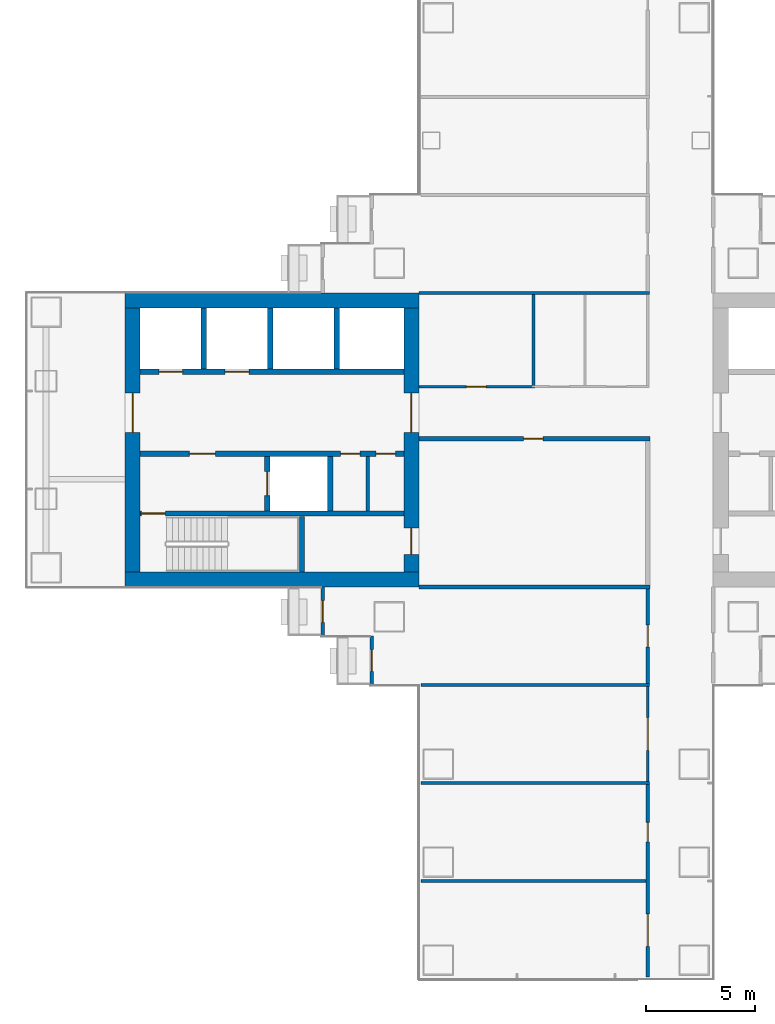
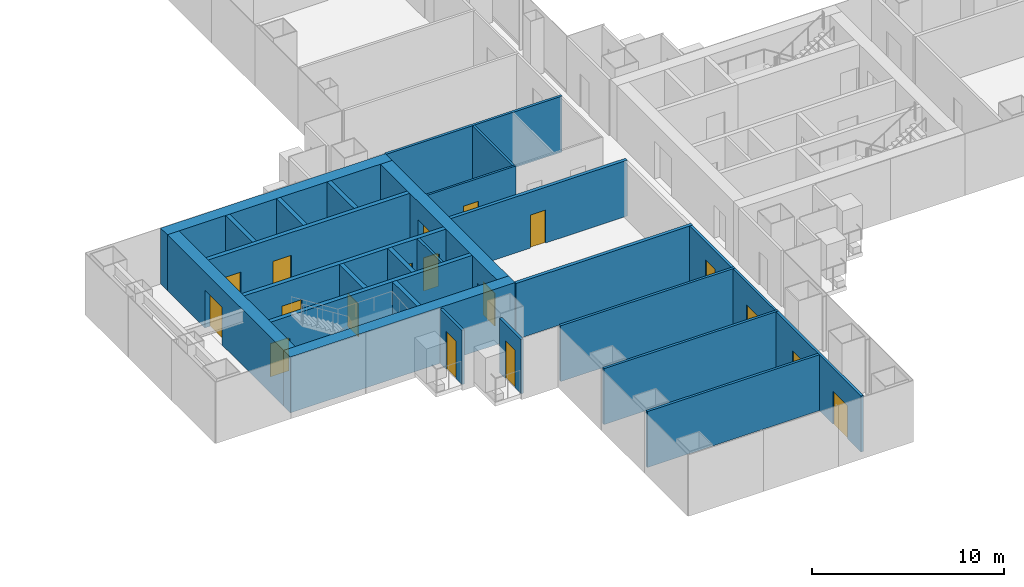
# One storey, part 15 of 21: 27 walls, 18 doors, 18 openings.
"""IFC4 building model written with IfcOpenShell, lengths in metres."""

from ifc_helpers import new_model, si_unit, direction, frame, frame_2d, origin, place, context, subcontext, project, spatial, rectangle, extrude, material, layer, layer_set, type_object, element, fill, save


model = new_model("IFC4")

# Units and contexts
model_context = context("Model", 3, precision=1e-05, world=origin(), true_north=direction((0.0, 1.0)))
body_context = subcontext(model_context, "Body", "Model", "MODEL_VIEW")
ifc_project = project(units=[si_unit("LENGTHUNIT", "METRE"), si_unit("AREAUNIT", "SQUARE_METRE"), si_unit("VOLUMEUNIT", "CUBIC_METRE"), si_unit("PLANEANGLEUNIT", "RADIAN"), si_unit("MASSUNIT", "GRAM", prefix="KILO")], contexts=[model_context])

# Site, building, storey
site_placement = place(None, origin())
site = spatial("IfcSite", under=ifc_project, at=site_placement, CompositionType="ELEMENT")
building_placement = place(site_placement, origin())
building = spatial("IfcBuilding", under=site, at=building_placement, Name="Shamsa Quay Exchange Towers", CompositionType="ELEMENT")
storey_placement = place(building_placement, frame((0.0, 0.0, 49.800048828125)))
storey = spatial("IfcBuildingStorey", under=building, at=storey_placement, Name="L10", CompositionType="ELEMENT", Elevation=49.800048828125)

# Wall, opening, door
ifc_material_1 = material(Name="Aluminium EN AW-6063 T6, black anodised, with black enamelled glass infill", Category="aluminium")
ifc_layer_1 = layer(ifc_material_1, 0.14990234375)
ifc_layer_set_1 = layer_set([ifc_layer_1], Name="BALCONY DOOR BAY WALL 150")
wall_type_1 = type_object("IfcWallType", Name="BALCONY DOOR BAY WALL 150", PredefinedType="SOLIDWALL", material=ifc_layer_set_1)
wall_1_placement = place(storey_placement, frame((22.574951171875, -9.0, 0.0), z_axis=(0.0, 0.0, 1.0), x_axis=(0.0, 1.0, 0.0)))
wall_1 = element("IfcWall", 1, at=wall_1_placement, inside=storey, type_object=wall_type_1, Name="Door bay T2-PKWN L10", PredefinedType="SOLIDWALL", context=body_context, shape_type="SweptSolid", body=[
    extrude(rectangle(XDim=2.257080078125, YDim=0.14990234375, at=frame_2d((1.12841796875, 0.0))), origin(), (0.0, 0.0, 1.0), 3.449951171875),
])
opening_1_placement = place(wall_1_placement, frame((0.625, 0.0, 0.0)))
opening_1 = element("IfcOpeningElement", 2, at=opening_1_placement, cuts=wall_1, Name="Opening XD061", PredefinedType="OPENING", context=body_context, shape_type="SweptSolid", body=[
    extrude(rectangle(XDim=1.0, YDim=2.39990234375, at=frame_2d((0.5, 1.199951171875))), frame((0.0, 0.0849609375, 0.0), z_axis=(0.0, -1.0, 0.0), x_axis=(1.0, 0.0, 0.0)), (0.0, 0.0, 1.0), 0.169921875),
])
ifc_material_2 = material(Name="Aluminium EN AW-6063 T6, black anodised, with laminated glass leaf", Category="aluminium")
door_type_1 = type_object("IfcDoorType", Name="BALCONY DOOR 1000x2400", OperationType="SINGLE_SWING_LEFT", PredefinedType="DOOR", material=ifc_material_2)
door_1_placement = place(opening_1_placement, origin())
door_1 = element("IfcDoor", 3, at=door_1_placement, inside=storey, type_object=door_type_1, Name="Balcony door T2-PKWN L10", OperationType="SINGLE_SWING_LEFT", OverallHeight=2.39990234375, OverallWidth=1.0, PredefinedType="DOOR", context=body_context, shape_type="SweptSolid", body=[
    extrude(rectangle(XDim=1.0, YDim=2.39990234375, at=frame_2d((0.5, 1.199951171875))), frame((0.0, 0.02490234375, 0.0), z_axis=(0.0, -1.0, 0.0), x_axis=(1.0, 0.0, 0.0)), (0.0, 0.0, 1.0), 0.050048828125),
])
fill(opening_1, door_1)

wall_2_placement = place(storey_placement, frame((24.824951171875, -11.25, 0.0), z_axis=(0.0, 0.0, 1.0), x_axis=(0.0, 1.0, 0.0)))
wall_2 = element("IfcWall", 4, at=wall_2_placement, inside=storey, type_object=wall_type_1, Name="Door bay T2-PKWN L10", PredefinedType="SOLIDWALL", context=body_context, shape_type="SweptSolid", body=[
    extrude(rectangle(XDim=2.25, YDim=0.14990234375, at=frame_2d((1.125, 0.0))), origin(), (0.0, 0.0, 1.0), 3.449951171875),
])
opening_2_placement = place(wall_2_placement, frame((0.625, 0.0, 0.0)))
opening_2 = element("IfcOpeningElement", 5, at=opening_2_placement, cuts=wall_2, Name="Opening XD062", PredefinedType="OPENING", context=body_context, shape_type="SweptSolid", body=[
    extrude(rectangle(XDim=1.0, YDim=2.39990234375, at=frame_2d((0.5, 1.199951171875))), frame((0.0, 0.0849609375, 0.0), z_axis=(0.0, -1.0, 0.0), x_axis=(1.0, 0.0, 0.0)), (0.0, 0.0, 1.0), 0.169921875),
])
door_2_placement = place(opening_2_placement, origin())
door_2 = element("IfcDoor", 6, at=door_2_placement, inside=storey, type_object=door_type_1, Name="Balcony door T2-PKWN L10", OperationType="SINGLE_SWING_RIGHT", OverallHeight=2.39990234375, OverallWidth=1.0, PredefinedType="DOOR", context=body_context, shape_type="SweptSolid", body=[
    extrude(rectangle(XDim=1.0, YDim=2.39990234375, at=frame_2d((0.5, 1.199951171875))), frame((0.0, 0.02490234375, 0.0), z_axis=(0.0, -1.0, 0.0), x_axis=(1.0, 0.0, 0.0)), (0.0, 0.0, 1.0), 0.050048828125),
])
fill(opening_2, door_2)

# Walls
ifc_material_3 = material(Name="Concrete C80/95", Category="concrete")
ifc_layer_2 = layer(ifc_material_3, 0.699951171875)
ifc_layer_set_2 = layer_set([ifc_layer_2], Name="CORE WALL 700 C80/95")
wall_type_2 = type_object("IfcWallType", Name="CORE WALL 700 C80/95", PredefinedType="SHEAR", material=ifc_layer_set_2)
for number, where, name in (
    (7, (13.5, -6.39990234375, 0.0), "Core wall T2A-R04-PS"),
    (8, (13.5, 6.39990234375, 0.0), "Core wall T2A-R04-PN"),
):
    element("IfcWall", number, at=place(storey_placement, frame(where)), inside=storey, type_object=wall_type_2, Name=name, PredefinedType="SHEAR", context=body_context, shape_type="SweptSolid", body=[
        extrude(rectangle(XDim=13.5, YDim=0.699951171875, at=frame_2d((6.75, 0.0))), origin(), (0.0, 0.0, 1.0), 3.550048828125),
    ])

# Wall, opening, door
wall_3_placement = place(storey_placement, frame((13.85009765625, 6.050048828125, 0.0), z_axis=(0.0, 0.0, 1.0), x_axis=(0.0, -1.0, 0.0)))
wall_3 = element("IfcWall", 9, at=wall_3_placement, inside=storey, type_object=wall_type_2, Name="Core wall T2A-R04-PF", PredefinedType="SHEAR", context=body_context, shape_type="SweptSolid", body=[
    extrude(rectangle(XDim=12.10009765625, YDim=0.699951171875, at=frame_2d((6.050048828125, 0.0))), origin(), (0.0, 0.0, 1.0), 3.550048828125),
])
opening_3_placement = place(wall_3_placement, frame((3.89990234375, 0.0, 0.0)))
opening_3 = element("IfcOpeningElement", 10, at=opening_3_placement, cuts=wall_3, Name="Opening T2A-R04-LBD01", PredefinedType="OPENING", context=body_context, shape_type="SweptSolid", body=[
    extrude(rectangle(XDim=1.800048828125, YDim=2.39990234375, at=frame_2d((0.89990234375, 1.199951171875))), frame((0.0, 0.35986328125, 0.0), z_axis=(0.0, -1.0, 0.0), x_axis=(1.0, 0.0, 0.0)), (0.0, 0.0, 1.0), 0.719970703125),
])
ifc_material_4 = material(Name="Steel, fire rated", Category="steel")
door_type_2 = type_object("IfcDoorType", Name="LIFT LOBBY DOOR PAIR 1800", OperationType="DOUBLE_DOOR_SINGLE_SWING", PredefinedType="DOOR", material=ifc_material_4)
door_3_placement = place(opening_3_placement, origin())
door_3 = element("IfcDoor", 11, at=door_3_placement, inside=storey, type_object=door_type_2, Name="T2A-R04-LBD01", OperationType="DOUBLE_DOOR_SINGLE_SWING", OverallHeight=2.39990234375, OverallWidth=1.800048828125, PredefinedType="DOOR", context=body_context, shape_type="SweptSolid", body=[
    extrude(rectangle(XDim=1.800048828125, YDim=2.39990234375, at=frame_2d((0.89990234375, 1.199951171875))), frame((0.0, 0.02490234375, 0.0), z_axis=(0.0, -1.0, 0.0), x_axis=(1.0, 0.0, 0.0)), (0.0, 0.0, 1.0), 0.050048828125),
])
fill(opening_3, door_3)

# Wall, openings, doors
wall_4_placement = place(storey_placement, frame((26.64990234375, 6.050048828125, 0.0), z_axis=(0.0, 0.0, 1.0), x_axis=(0.0, -1.0, 0.0)))
wall_4 = element("IfcWall", 12, at=wall_4_placement, inside=storey, type_object=wall_type_2, Name="Core wall T2A-R04-PB", PredefinedType="SHEAR", context=body_context, shape_type="SweptSolid", body=[
    extrude(rectangle(XDim=12.10009765625, YDim=0.699951171875, at=frame_2d((6.050048828125, 0.0))), origin(), (0.0, 0.0, 1.0), 3.550048828125),
])
opening_4_placement = place(wall_4_placement, frame((10.10009765625, 0.0, 0.0)))
opening_4 = element("IfcOpeningElement", 13, at=opening_4_placement, cuts=wall_4, Name="Opening T2A-R04-RD02", PredefinedType="OPENING", context=body_context, shape_type="SweptSolid", body=[
    extrude(rectangle(XDim=1.199951171875, YDim=2.10009765625, at=frame_2d((0.60009765625, 1.050048828125))), frame((0.0, 0.35986328125, 0.0), z_axis=(0.0, -1.0, 0.0), x_axis=(1.0, 0.0, 0.0)), (0.0, 0.0, 1.0), 0.719970703125),
])
opening_5_placement = place(wall_4_placement, frame((3.89990234375, 0.0, 0.0)))
opening_5 = element("IfcOpeningElement", 14, at=opening_5_placement, cuts=wall_4, Name="Opening T2A-R04-LBD03", PredefinedType="OPENING", context=body_context, shape_type="SweptSolid", body=[
    extrude(rectangle(XDim=1.800048828125, YDim=2.39990234375, at=frame_2d((0.89990234375, 1.199951171875))), frame((0.0, 0.35986328125, 0.0), z_axis=(0.0, -1.0, 0.0), x_axis=(1.0, 0.0, 0.0)), (0.0, 0.0, 1.0), 0.719970703125),
])
door_4_placement = place(opening_5_placement, origin())
door_4 = element("IfcDoor", 15, at=door_4_placement, inside=storey, type_object=door_type_2, Name="T2A-R04-LBD03", OperationType="DOUBLE_DOOR_SINGLE_SWING", OverallHeight=2.39990234375, OverallWidth=1.800048828125, PredefinedType="DOOR", context=body_context, shape_type="SweptSolid", body=[
    extrude(rectangle(XDim=1.800048828125, YDim=2.39990234375, at=frame_2d((0.89990234375, 1.199951171875))), frame((0.0, 0.02490234375, 0.0), z_axis=(0.0, -1.0, 0.0), x_axis=(1.0, 0.0, 0.0)), (0.0, 0.0, 1.0), 0.050048828125),
])
fill(opening_5, door_4)
door_type_3 = type_object("IfcDoorType", Name="RISER ACCESS DOOR 1200", OperationType="SINGLE_SWING_LEFT", PredefinedType="DOOR", material=ifc_material_4)
door_5_placement = place(opening_4_placement, origin())
door_5 = element("IfcDoor", 16, at=door_5_placement, inside=storey, type_object=door_type_3, Name="T2A-R04-RD02", OperationType="SINGLE_SWING_RIGHT", OverallHeight=2.10009765625, OverallWidth=1.199951171875, PredefinedType="DOOR", context=body_context, shape_type="SweptSolid", body=[
    extrude(rectangle(XDim=1.199951171875, YDim=2.10009765625, at=frame_2d((0.60009765625, 1.050048828125))), frame((0.0, 0.02490234375, 0.0), z_axis=(0.0, -1.0, 0.0), x_axis=(1.0, 0.0, 0.0)), (0.0, 0.0, 1.0), 0.050048828125),
])
fill(opening_4, door_5)

# Wall
ifc_material_5 = material(Name="Gypsum board on steel studs, EI 60", Category="steel")
ifc_layer_3 = layer(ifc_material_5, 0.14990234375)
ifc_layer_set_3 = layer_set([ifc_layer_3], Name="FIRE PARTITION 150")
wall_type_3 = type_object("IfcWallType", Name="FIRE PARTITION 150", PredefinedType="PARTITIONING", material=ifc_layer_set_3)
wall_5_placement = place(storey_placement, frame((24.64990234375, -3.25, 0.0), z_axis=(0.0, 0.0, 1.0), x_axis=(0.0, 1.0, 0.0)))
element("IfcWall", 17, at=wall_5_placement, inside=storey, type_object=wall_type_3, Name="Partition T2A-R04-EC0", PredefinedType="PARTITIONING", context=body_context, shape_type="SweptSolid", body=[
    extrude(rectangle(XDim=2.5, YDim=0.14990234375, at=frame_2d((1.25, 0.0))), origin(), (0.0, 0.0, 1.0), 3.550048828125),
])

# Wall, opening, door
ifc_material_6 = material(Name="Laminated fire-resisting glass in a metal frame", Category="glass")
ifc_layer_4 = layer(ifc_material_6, 0.125)
ifc_layer_set_4 = layer_set([ifc_layer_4], Name="Glazed partition 125 mm EI 60")
wall_type_4 = type_object("IfcWallType", Name="Glazed partition 125 mm EI 60", PredefinedType="PARTITIONING", material=ifc_layer_set_4)
wall_6_placement = place(storey_placement, frame((37.5, -15.675048828125, 0.0), z_axis=(0.0, 0.0, 1.0), x_axis=(0.0, 1.0, 0.0)))
wall_6 = element("IfcWall", 18, at=wall_6_placement, inside=storey, type_object=wall_type_4, Name="Partition T2-R04-W07", PredefinedType="PARTITIONING", context=body_context, shape_type="SweptSolid", body=[
    extrude(rectangle(XDim=4.35009765625, YDim=0.125, at=frame_2d((2.175048828125, 0.0))), origin(), (0.0, 0.0, 1.0), 3.550048828125),
])
opening_6_placement = place(wall_6_placement, frame((1.425048828125, 0.0, 0.0)))
opening_6 = element("IfcOpeningElement", 19, at=opening_6_placement, cuts=wall_6, Name="Opening T2-R04-D07", PredefinedType="OPENING", context=body_context, shape_type="SweptSolid", body=[
    extrude(rectangle(XDim=1.5, YDim=2.10009765625, at=frame_2d((0.75, 1.050048828125))), frame((0.0, 0.072509765625, 0.0), z_axis=(0.0, -1.0, 0.0), x_axis=(1.0, 0.0, 0.0)), (0.0, 0.0, 1.0), 0.14501953125),
])
ifc_material_7 = material(Name="Timber door leaf in a metal frame", Category="wood")
door_type_4 = type_object("IfcDoorType", Name="Door 1500x2100 FD30S pair", OperationType="NOTDEFINED", PredefinedType="DOOR", material=ifc_material_7)
door_6_placement = place(opening_6_placement, origin())
door_6 = element("IfcDoor", 20, at=door_6_placement, inside=storey, type_object=door_type_4, Name="Door T2-R04-D07", OperationType="DOUBLE_DOOR_SINGLE_SWING", OverallHeight=2.10009765625, OverallWidth=1.5, PredefinedType="DOOR", context=body_context, shape_type="SweptSolid", body=[
    extrude(rectangle(XDim=1.5, YDim=2.10009765625, at=frame_2d((0.75, 1.050048828125))), frame((0.0, 0.02490234375, 0.0), z_axis=(0.0, -1.0, 0.0), x_axis=(1.0, 0.0, 0.0)), (0.0, 0.0, 1.0), 0.050048828125),
])
fill(opening_6, door_6)

wall_7_placement = place(storey_placement, frame((27.0, 2.4501953125, 0.0)))
wall_7 = element("IfcWall", 21, at=wall_7_placement, inside=storey, type_object=wall_type_4, Name="Partition T2-R04-W10", PredefinedType="PARTITIONING", context=body_context, shape_type="SweptSolid", body=[
    extrude(rectangle(XDim=5.3125, YDim=0.125, at=frame_2d((2.65625, 0.0))), origin(), (0.0, 0.0, 1.0), 3.550048828125),
])
opening_7_placement = place(wall_7_placement, frame((2.175048828125, 0.0, 0.0)))
opening_7 = element("IfcOpeningElement", 22, at=opening_7_placement, cuts=wall_7, Name="Opening T2-R04-D15", PredefinedType="OPENING", context=body_context, shape_type="SweptSolid", body=[
    extrude(rectangle(XDim=0.89990234375, YDim=2.10009765625, at=frame_2d((0.449951171875, 1.050048828125))), frame((0.0, 0.072509765625, 0.0), z_axis=(0.0, -1.0, 0.0), x_axis=(1.0, 0.0, 0.0)), (0.0, 0.0, 1.0), 0.14501953125),
])
door_type_5 = type_object("IfcDoorType", Name="Door 900x2100 FD30S", OperationType="NOTDEFINED", PredefinedType="DOOR", material=ifc_material_7)
door_7_placement = place(opening_7_placement, origin())
door_7 = element("IfcDoor", 23, at=door_7_placement, inside=storey, type_object=door_type_5, Name="Door T2-R04-D15", OperationType="SINGLE_SWING_LEFT", OverallHeight=2.10009765625, OverallWidth=0.89990234375, PredefinedType="DOOR", context=body_context, shape_type="SweptSolid", body=[
    extrude(rectangle(XDim=0.89990234375, YDim=2.10009765625, at=frame_2d((0.449951171875, 1.050048828125))), frame((0.0, 0.02490234375, 0.0), z_axis=(0.0, -1.0, 0.0), x_axis=(1.0, 0.0, 0.0)), (0.0, 0.0, 1.0), 0.050048828125),
])
fill(opening_7, door_7)

# Wall
wall_8_placement = place(storey_placement, frame((32.25, 6.675048828125, 0.0), z_axis=(0.0, 0.0, 1.0), x_axis=(0.0, -1.0, 0.0)))
element("IfcWall", 24, at=wall_8_placement, inside=storey, type_object=wall_type_4, Name="Partition T2-R04-W22", PredefinedType="PARTITIONING", context=body_context, shape_type="SweptSolid", body=[
    extrude(rectangle(XDim=4.162353515625, YDim=0.125, at=frame_2d((2.0810546875, 0.0))), origin(), (0.0, 0.0, 1.0), 3.550048828125),
])

# Wall, opening, door
ifc_material_8 = material(Name="Gypsum board partition on metal studs")
ifc_layer_5 = layer(ifc_material_8, 0.14990234375)
ifc_layer_set_5 = layer_set([ifc_layer_5], Name="Partition 150 mm EI 60")
wall_type_5 = type_object("IfcWallType", Name="Partition 150 mm EI 60", PredefinedType="PARTITIONING", material=ifc_layer_set_5)
wall_9_placement = place(storey_placement, frame((37.5, -11.175048828125, 0.0), z_axis=(0.0, 0.0, 1.0), x_axis=(0.0, 1.0, 0.0)))
wall_9 = element("IfcWall", 25, at=wall_9_placement, inside=storey, type_object=wall_type_5, Name="Partition T2-R04-W03", PredefinedType="PARTITIONING", context=body_context, shape_type="SweptSolid", body=[
    extrude(rectangle(XDim=4.324951171875, YDim=0.14990234375, at=frame_2d((2.16259765625, 0.0))), origin(), (0.0, 0.0, 1.0), 3.550048828125),
])
opening_8_placement = place(wall_9_placement, frame((1.675048828125, 0.0, 0.0)))
opening_8 = element("IfcOpeningElement", 26, at=opening_8_placement, cuts=wall_9, Name="Opening T2-R04-D08", PredefinedType="OPENING", context=body_context, shape_type="SweptSolid", body=[
    extrude(rectangle(XDim=1.0, YDim=2.39990234375, at=frame_2d((0.5, 1.199951171875))), frame((0.0, 0.0849609375, 0.0), z_axis=(0.0, -1.0, 0.0), x_axis=(1.0, 0.0, 0.0)), (0.0, 0.0, 1.0), 0.169921875),
])
door_type_6 = type_object("IfcDoorType", Name="Door 1000x2400 FD30S", OperationType="NOTDEFINED", PredefinedType="DOOR", material=ifc_material_7)
door_8_placement = place(opening_8_placement, origin())
door_8 = element("IfcDoor", 27, at=door_8_placement, inside=storey, type_object=door_type_6, Name="Door T2-R04-D08", OperationType="SINGLE_SWING_RIGHT", OverallHeight=2.39990234375, OverallWidth=1.0, PredefinedType="DOOR", context=body_context, shape_type="SweptSolid", body=[
    extrude(rectangle(XDim=1.0, YDim=2.39990234375, at=frame_2d((0.5, 1.199951171875))), frame((0.0, 0.02490234375, 0.0), z_axis=(0.0, -1.0, 0.0), x_axis=(1.0, 0.0, 0.0)), (0.0, 0.0, 1.0), 0.050048828125),
])
fill(opening_8, door_8)

# Wall, openings, doors
wall_10_placement = place(storey_placement, frame((37.5, -24.655029296875, 0.0), z_axis=(0.0, 0.0, 1.0), x_axis=(0.0, 1.0, 0.0)))
wall_10 = element("IfcWall", 28, at=wall_10_placement, inside=storey, type_object=wall_type_5, Name="Partition T2-R04-W04", PredefinedType="PARTITIONING", context=body_context, shape_type="SweptSolid", body=[
    extrude(rectangle(XDim=8.830078125, YDim=0.14990234375, at=frame_2d((4.4150390625, 0.0))), origin(), (0.0, 0.0, 1.0), 3.550048828125),
])
opening_9_placement = place(wall_10_placement, frame((6.205078125, 0.0, 0.0)))
opening_9 = element("IfcOpeningElement", 29, at=opening_9_placement, cuts=wall_10, Name="Opening T2-R04-D05", PredefinedType="OPENING", context=body_context, shape_type="SweptSolid", body=[
    extrude(rectangle(XDim=0.89990234375, YDim=2.10009765625, at=frame_2d((0.449951171875, 1.050048828125))), frame((0.0, 0.0849609375, 0.0), z_axis=(0.0, -1.0, 0.0), x_axis=(1.0, 0.0, 0.0)), (0.0, 0.0, 1.0), 0.169921875),
])
opening_10_placement = place(wall_10_placement, frame((1.405029296875, 0.0, 0.0)))
opening_10 = element("IfcOpeningElement", 30, at=opening_10_placement, cuts=wall_10, Name="Opening T2-R04-D06", PredefinedType="OPENING", context=body_context, shape_type="SweptSolid", body=[
    extrude(rectangle(XDim=1.5, YDim=2.10009765625, at=frame_2d((0.75, 1.050048828125))), frame((0.0, 0.0849609375, 0.0), z_axis=(0.0, -1.0, 0.0), x_axis=(1.0, 0.0, 0.0)), (0.0, 0.0, 1.0), 0.169921875),
])
door_9_placement = place(opening_10_placement, origin())
door_9 = element("IfcDoor", 31, at=door_9_placement, inside=storey, type_object=door_type_4, Name="Door T2-R04-D06", OperationType="DOUBLE_DOOR_SINGLE_SWING", OverallHeight=2.10009765625, OverallWidth=1.5, PredefinedType="DOOR", context=body_context, shape_type="SweptSolid", body=[
    extrude(rectangle(XDim=1.5, YDim=2.10009765625, at=frame_2d((0.75, 1.050048828125))), frame((0.0, 0.02490234375, 0.0), z_axis=(0.0, -1.0, 0.0), x_axis=(1.0, 0.0, 0.0)), (0.0, 0.0, 1.0), 0.050048828125),
])
fill(opening_10, door_9)
door_10_placement = place(opening_9_placement, origin())
door_10 = element("IfcDoor", 32, at=door_10_placement, inside=storey, type_object=door_type_5, Name="Door T2-R04-D05", OperationType="SINGLE_SWING_LEFT", OverallHeight=2.10009765625, OverallWidth=0.89990234375, PredefinedType="DOOR", context=body_context, shape_type="SweptSolid", body=[
    extrude(rectangle(XDim=0.89990234375, YDim=2.10009765625, at=frame_2d((0.449951171875, 1.050048828125))), frame((0.0, 0.02490234375, 0.0), z_axis=(0.0, -1.0, 0.0), x_axis=(1.0, 0.0, 0.0)), (0.0, 0.0, 1.0), 0.050048828125),
])
fill(opening_9, door_10)

# Walls
wall_11_placement = place(storey_placement, frame((27.0, 6.75, 0.0)))
element("IfcWall", 33, at=wall_11_placement, inside=storey, type_object=wall_type_5, Name="Partition T2-R04-W18", PredefinedType="PARTITIONING", context=body_context, shape_type="SweptSolid", body=[
    extrude(rectangle(XDim=10.574951171875, YDim=0.14990234375, at=frame_2d((5.28759765625, 0.0))), origin(), (0.0, 0.0, 1.0), 3.550048828125),
])
for number, where, name in (
    (34, (27.094970703125, -11.25, 0.0), "Partition T2-R04-W23"),
    (35, (27.094970703125, -15.75, 0.0), "Partition T2-R04-W25"),
):
    element("IfcWall", number, at=place(storey_placement, frame(where)), inside=storey, type_object=wall_type_5, Name=name, PredefinedType="PARTITIONING", context=body_context, shape_type="SweptSolid", body=[
        extrude(rectangle(XDim=10.47998046875, YDim=0.14990234375, at=frame_2d((5.239990234375, 0.0))), origin(), (0.0, 0.0, 1.0), 3.550048828125),
    ])
wall_12_placement = place(storey_placement, frame((27.094970703125, -20.25, 0.0)))
element("IfcWall", 36, at=wall_12_placement, inside=storey, type_object=wall_type_5, Name="Partition T2-R04-W26", PredefinedType="PARTITIONING", context=body_context, shape_type="SweptSolid", body=[
    extrude(rectangle(XDim=10.330078125, YDim=0.14990234375, at=frame_2d((5.1650390625, 0.0))), origin(), (0.0, 0.0, 1.0), 3.550048828125),
])

# Wall, opening, door
ifc_layer_6 = layer(ifc_material_8, 0.199951171875)
ifc_layer_set_6 = layer_set([ifc_layer_6], Name="Partition 200 mm EI 120")
wall_type_6 = type_object("IfcWallType", Name="Partition 200 mm EI 120", PredefinedType="PARTITIONING", material=ifc_layer_set_6)
wall_13_placement = place(storey_placement, frame((37.60009765625, 0.0498046875, 0.0), z_axis=(0.0, 0.0, 1.0), x_axis=(-1.0, 0.0, 0.0)))
wall_13 = element("IfcWall", 37, at=wall_13_placement, inside=storey, type_object=wall_type_6, Name="Partition T2-R04-W11", PredefinedType="PARTITIONING", context=body_context, shape_type="SweptSolid", body=[
    extrude(rectangle(XDim=10.60009765625, YDim=0.199951171875, at=frame_2d((5.300048828125, 0.0))), origin(), (0.0, 0.0, 1.0), 3.550048828125),
])
opening_11_placement = place(wall_13_placement, frame((4.89990234375, 0.0, 0.0)))
opening_11 = element("IfcOpeningElement", 38, at=opening_11_placement, cuts=wall_13, Name="Opening T2-R04-D16", PredefinedType="OPENING", context=body_context, shape_type="SweptSolid", body=[
    extrude(rectangle(XDim=0.89990234375, YDim=2.10009765625, at=frame_2d((0.449951171875, 1.050048828125))), frame((0.0, 0.10986328125, 0.0), z_axis=(0.0, -1.0, 0.0), x_axis=(1.0, 0.0, 0.0)), (0.0, 0.0, 1.0), 0.219970703125),
])
door_type_7 = type_object("IfcDoorType", Name="Door 900x2100 FD60", OperationType="NOTDEFINED", PredefinedType="DOOR", material=ifc_material_7)
door_11_placement = place(opening_11_placement, origin())
door_11 = element("IfcDoor", 39, at=door_11_placement, inside=storey, type_object=door_type_7, Name="Door T2-R04-D16", OperationType="SINGLE_SWING_RIGHT", OverallHeight=2.10009765625, OverallWidth=0.89990234375, PredefinedType="DOOR", context=body_context, shape_type="SweptSolid", body=[
    extrude(rectangle(XDim=0.89990234375, YDim=2.10009765625, at=frame_2d((0.449951171875, 1.050048828125))), frame((0.0, 0.02490234375, 0.0), z_axis=(0.0, -1.0, 0.0), x_axis=(1.0, 0.0, 0.0)), (0.0, 0.0, 1.0), 0.050048828125),
])
fill(opening_11, door_11)

# Wall
wall_14_placement = place(storey_placement, frame((37.60009765625, -6.75, 0.0), z_axis=(0.0, 0.0, 1.0), x_axis=(-1.0, 0.0, 0.0)))
element("IfcWall", 40, at=wall_14_placement, inside=storey, type_object=wall_type_6, Name="Partition T2-R04-W24", PredefinedType="PARTITIONING", context=body_context, shape_type="SweptSolid", body=[
    extrude(rectangle(XDim=10.60009765625, YDim=0.199951171875, at=frame_2d((5.300048828125, 0.0))), origin(), (0.0, 0.0, 1.0), 3.550048828125),
])

# Wall, opening, door
ifc_material_9 = material(Name="Concrete C50/60", Category="concrete")
ifc_layer_7 = layer(ifc_material_9, 0.25)
ifc_layer_set_7 = layer_set([ifc_layer_7], Name="SHAFT WALL 250 C50/60")
wall_type_7 = type_object("IfcWallType", Name="SHAFT WALL 250 C50/60", PredefinedType="SHEAR", material=ifc_layer_set_7)
wall_15_placement = place(storey_placement, frame((26.300048828125, -3.375, 0.0), z_axis=(0.0, 0.0, 1.0), x_axis=(-1.0, 0.0, 0.0)))
wall_15 = element("IfcWall", 41, at=wall_15_placement, inside=storey, type_object=wall_type_7, Name="Shaft wall T2A-R04-STL", PredefinedType="SHEAR", context=body_context, shape_type="SweptSolid", body=[
    extrude(rectangle(XDim=12.10009765625, YDim=0.25, at=frame_2d((6.050048828125, 0.0))), origin(), (0.0, 0.0, 1.0), 3.550048828125),
])
opening_12_placement = place(wall_15_placement, frame((10.949951171875, 0.0, 0.0)))
opening_12 = element("IfcOpeningElement", 42, at=opening_12_placement, cuts=wall_15, Name="Opening T2A-R04-SD04", PredefinedType="OPENING", context=body_context, shape_type="SweptSolid", body=[
    extrude(rectangle(XDim=1.10009765625, YDim=2.10009765625, at=frame_2d((0.550048828125, 1.050048828125))), frame((0.0, 0.135009765625, 0.0), z_axis=(0.0, -1.0, 0.0), x_axis=(1.0, 0.0, 0.0)), (0.0, 0.0, 1.0), 0.27001953125),
])
door_type_8 = type_object("IfcDoorType", Name="STAIR DOOR 1100", OperationType="SINGLE_SWING_LEFT", PredefinedType="DOOR", material=ifc_material_4)
door_12_placement = place(opening_12_placement, origin())
door_12 = element("IfcDoor", 43, at=door_12_placement, inside=storey, type_object=door_type_8, Name="T2A-R04-SD04", OperationType="SINGLE_SWING_RIGHT", OverallHeight=2.10009765625, OverallWidth=1.10009765625, PredefinedType="DOOR", context=body_context, shape_type="SweptSolid", body=[
    extrude(rectangle(XDim=1.10009765625, YDim=2.10009765625, at=frame_2d((0.550048828125, 1.050048828125))), frame((0.0, 0.02490234375, 0.0), z_axis=(0.0, -1.0, 0.0), x_axis=(1.0, 0.0, 0.0)), (0.0, 0.0, 1.0), 0.050048828125),
])
fill(opening_12, door_12)

# Wall
wall_16_placement = place(storey_placement, frame((21.625, -6.050048828125, 0.0), z_axis=(0.0, 0.0, 1.0), x_axis=(0.0, 1.0, 0.0)))
element("IfcWall", 44, at=wall_16_placement, inside=storey, type_object=wall_type_7, Name="Shaft wall T2A-R04-STF", PredefinedType="SHEAR", context=body_context, shape_type="SweptSolid", body=[
    extrude(rectangle(XDim=2.550048828125, YDim=0.25, at=frame_2d((1.27490234375, 0.0))), origin(), (0.0, 0.0, 1.0), 3.550048828125),
])

# Wall, openings, doors
wall_17_placement = place(storey_placement, frame((26.300048828125, -0.625, 0.0), z_axis=(0.0, 0.0, 1.0), x_axis=(-1.0, 0.0, 0.0)))
wall_17 = element("IfcWall", 45, at=wall_17_placement, inside=storey, type_object=wall_type_7, Name="Shaft wall T2A-R04-B", PredefinedType="SHEAR", context=body_context, shape_type="SweptSolid", body=[
    extrude(rectangle(XDim=12.10009765625, YDim=0.25, at=frame_2d((6.050048828125, 0.0))), origin(), (0.0, 0.0, 1.0), 3.550048828125),
])
opening_13_placement = place(wall_17_placement, frame((8.64990234375, 0.0, 0.0)))
opening_13 = element("IfcOpeningElement", 46, at=opening_13_placement, cuts=wall_17, Name="Opening T2A-R04-FD05", PredefinedType="OPENING", context=body_context, shape_type="SweptSolid", body=[
    extrude(rectangle(XDim=1.199951171875, YDim=2.10009765625, at=frame_2d((0.60009765625, 1.050048828125))), frame((0.0, 0.135009765625, 0.0), z_axis=(0.0, -1.0, 0.0), x_axis=(1.0, 0.0, 0.0)), (0.0, 0.0, 1.0), 0.27001953125),
])
opening_14_placement = place(wall_17_placement, frame((2.0, 0.0, 0.0)))
opening_14 = element("IfcOpeningElement", 47, at=opening_14_placement, cuts=wall_17, Name="Opening T2A-R04-SV06", PredefinedType="OPENING", context=body_context, shape_type="SweptSolid", body=[
    extrude(rectangle(XDim=0.89990234375, YDim=2.10009765625, at=frame_2d((0.449951171875, 1.050048828125))), frame((0.0, 0.135009765625, 0.0), z_axis=(0.0, -1.0, 0.0), x_axis=(1.0, 0.0, 0.0)), (0.0, 0.0, 1.0), 0.27001953125),
])
opening_15_placement = place(wall_17_placement, frame((0.375, 0.0, 0.0)))
opening_15 = element("IfcOpeningElement", 48, at=opening_15_placement, cuts=wall_17, Name="Opening T2A-R04-SV07", PredefinedType="OPENING", context=body_context, shape_type="SweptSolid", body=[
    extrude(rectangle(XDim=0.89990234375, YDim=2.10009765625, at=frame_2d((0.449951171875, 1.050048828125))), frame((0.0, 0.135009765625, 0.0), z_axis=(0.0, -1.0, 0.0), x_axis=(1.0, 0.0, 0.0)), (0.0, 0.0, 1.0), 0.27001953125),
])
door_type_9 = type_object("IfcDoorType", Name="FIRE SERVICE LOBBY DOOR 1200", OperationType="SINGLE_SWING_LEFT", PredefinedType="DOOR", material=ifc_material_4)
door_13_placement = place(opening_13_placement, origin())
door_13 = element("IfcDoor", 49, at=door_13_placement, inside=storey, type_object=door_type_9, Name="T2A-R04-FD05", OperationType="SINGLE_SWING_RIGHT", OverallHeight=2.10009765625, OverallWidth=1.199951171875, PredefinedType="DOOR", context=body_context, shape_type="SweptSolid", body=[
    extrude(rectangle(XDim=1.199951171875, YDim=2.10009765625, at=frame_2d((0.60009765625, 1.050048828125))), frame((0.0, 0.02490234375, 0.0), z_axis=(0.0, -1.0, 0.0), x_axis=(1.0, 0.0, 0.0)), (0.0, 0.0, 1.0), 0.050048828125),
])
fill(opening_13, door_13)
door_type_10 = type_object("IfcDoorType", Name="SERVICE ROOM DOOR 900", OperationType="SINGLE_SWING_LEFT", PredefinedType="DOOR", material=ifc_material_4)
door_14_placement = place(opening_14_placement, origin())
door_14 = element("IfcDoor", 50, at=door_14_placement, inside=storey, type_object=door_type_10, Name="T2A-R04-SV06", OperationType="SINGLE_SWING_LEFT", OverallHeight=2.10009765625, OverallWidth=0.89990234375, PredefinedType="DOOR", context=body_context, shape_type="SweptSolid", body=[
    extrude(rectangle(XDim=0.89990234375, YDim=2.10009765625, at=frame_2d((0.449951171875, 1.050048828125))), frame((0.0, 0.02490234375, 0.0), z_axis=(0.0, -1.0, 0.0), x_axis=(1.0, 0.0, 0.0)), (0.0, 0.0, 1.0), 0.050048828125),
])
fill(opening_14, door_14)
door_15_placement = place(opening_15_placement, origin())
door_15 = element("IfcDoor", 51, at=door_15_placement, inside=storey, type_object=door_type_10, Name="T2A-R04-SV07", OperationType="SINGLE_SWING_LEFT", OverallHeight=2.10009765625, OverallWidth=0.89990234375, PredefinedType="DOOR", context=body_context, shape_type="SweptSolid", body=[
    extrude(rectangle(XDim=0.89990234375, YDim=2.10009765625, at=frame_2d((0.449951171875, 1.050048828125))), frame((0.0, 0.02490234375, 0.0), z_axis=(0.0, -1.0, 0.0), x_axis=(1.0, 0.0, 0.0)), (0.0, 0.0, 1.0), 0.050048828125),
])
fill(opening_15, door_15)

# Wall, opening, door
wall_18_placement = place(storey_placement, frame((20.02490234375, -3.25, 0.0), z_axis=(0.0, 0.0, 1.0), x_axis=(0.0, 1.0, 0.0)))
wall_18 = element("IfcWall", 52, at=wall_18_placement, inside=storey, type_object=wall_type_7, Name="Shaft wall T2A-R04-FFF", PredefinedType="SHEAR", context=body_context, shape_type="SweptSolid", body=[
    extrude(rectangle(XDim=2.5, YDim=0.25, at=frame_2d((1.25, 0.0))), origin(), (0.0, 0.0, 1.0), 3.550048828125),
])
opening_16_placement = place(wall_18_placement, frame((0.699951171875, 0.0, 0.0)))
opening_16 = element("IfcOpeningElement", 53, at=opening_16_placement, cuts=wall_18, Name="Opening T2A-R04-LDF08", PredefinedType="OPENING", context=body_context, shape_type="SweptSolid", body=[
    extrude(rectangle(XDim=1.10009765625, YDim=2.10009765625, at=frame_2d((0.550048828125, 1.050048828125))), frame((0.0, 0.135009765625, 0.0), z_axis=(0.0, -1.0, 0.0), x_axis=(1.0, 0.0, 0.0)), (0.0, 0.0, 1.0), 0.27001953125),
])
door_type_11 = type_object("IfcDoorType", Name="FIRE SERVICE LANDING DOOR 1100", OperationType="SLIDING_TO_LEFT", PredefinedType="DOOR", material=ifc_material_4)
door_16_placement = place(opening_16_placement, origin())
door_16 = element("IfcDoor", 54, at=door_16_placement, inside=storey, type_object=door_type_11, Name="T2A-R04-LDF08", OperationType="SLIDING_TO_LEFT", OverallHeight=2.10009765625, OverallWidth=1.10009765625, PredefinedType="DOOR", context=body_context, shape_type="SweptSolid", body=[
    extrude(rectangle(XDim=1.10009765625, YDim=2.10009765625, at=frame_2d((0.550048828125, 1.050048828125))), frame((0.0, 0.02490234375, 0.0), z_axis=(0.0, -1.0, 0.0), x_axis=(1.0, 0.0, 0.0)), (0.0, 0.0, 1.0), 0.050048828125),
])
fill(opening_16, door_16)

# Wall
wall_19_placement = place(storey_placement, frame((22.925048828125, -3.25, 0.0), z_axis=(0.0, 0.0, 1.0), x_axis=(0.0, 1.0, 0.0)))
element("IfcWall", 55, at=wall_19_placement, inside=storey, type_object=wall_type_7, Name="Shaft wall T2A-R04-FFB", PredefinedType="SHEAR", context=body_context, shape_type="SweptSolid", body=[
    extrude(rectangle(XDim=2.5, YDim=0.25, at=frame_2d((1.25, 0.0))), origin(), (0.0, 0.0, 1.0), 3.550048828125),
])

# Wall, openings, doors
wall_20_placement = place(storey_placement, frame((14.199951171875, 3.125, 0.0)))
wall_20 = element("IfcWall", 56, at=wall_20_placement, inside=storey, type_object=wall_type_7, Name="Shaft wall T2A-R04-N", PredefinedType="SHEAR", context=body_context, shape_type="SweptSolid", body=[
    extrude(rectangle(XDim=12.10009765625, YDim=0.25, at=frame_2d((6.050048828125, 0.0))), origin(), (0.0, 0.0, 1.0), 3.550048828125),
])
opening_17_placement = place(wall_20_placement, frame((0.85009765625, 0.0, 0.0)))
opening_17 = element("IfcOpeningElement", 57, at=opening_17_placement, cuts=wall_20, Name="Opening T2A-R04-LD09", PredefinedType="OPENING", context=body_context, shape_type="SweptSolid", body=[
    extrude(rectangle(XDim=1.10009765625, YDim=2.10009765625, at=frame_2d((0.550048828125, 1.050048828125))), frame((0.0, 0.135009765625, 0.0), z_axis=(0.0, -1.0, 0.0), x_axis=(1.0, 0.0, 0.0)), (0.0, 0.0, 1.0), 0.27001953125),
])
opening_18_placement = place(wall_20_placement, frame((3.89990234375, 0.0, 0.0)))
opening_18 = element("IfcOpeningElement", 58, at=opening_18_placement, cuts=wall_20, Name="Opening T2A-R04-LD10", PredefinedType="OPENING", context=body_context, shape_type="SweptSolid", body=[
    extrude(rectangle(XDim=1.10009765625, YDim=2.10009765625, at=frame_2d((0.550048828125, 1.050048828125))), frame((0.0, 0.135009765625, 0.0), z_axis=(0.0, -1.0, 0.0), x_axis=(1.0, 0.0, 0.0)), (0.0, 0.0, 1.0), 0.27001953125),
])
door_type_12 = type_object("IfcDoorType", Name="LANDING DOOR 1100", OperationType="SLIDING_TO_LEFT", PredefinedType="DOOR", material=ifc_material_4)
door_17_placement = place(opening_17_placement, origin())
door_17 = element("IfcDoor", 59, at=door_17_placement, inside=storey, type_object=door_type_12, Name="T2A-R04-LD09", OperationType="SLIDING_TO_LEFT", OverallHeight=2.10009765625, OverallWidth=1.10009765625, PredefinedType="DOOR", context=body_context, shape_type="SweptSolid", body=[
    extrude(rectangle(XDim=1.10009765625, YDim=2.10009765625, at=frame_2d((0.550048828125, 1.050048828125))), frame((0.0, 0.02490234375, 0.0), z_axis=(0.0, -1.0, 0.0), x_axis=(1.0, 0.0, 0.0)), (0.0, 0.0, 1.0), 0.050048828125),
])
fill(opening_17, door_17)
door_18_placement = place(opening_18_placement, origin())
door_18 = element("IfcDoor", 60, at=door_18_placement, inside=storey, type_object=door_type_12, Name="T2A-R04-LD10", OperationType="SLIDING_TO_LEFT", OverallHeight=2.10009765625, OverallWidth=1.10009765625, PredefinedType="DOOR", context=body_context, shape_type="SweptSolid", body=[
    extrude(rectangle(XDim=1.10009765625, YDim=2.10009765625, at=frame_2d((0.550048828125, 1.050048828125))), frame((0.0, 0.02490234375, 0.0), z_axis=(0.0, -1.0, 0.0), x_axis=(1.0, 0.0, 0.0)), (0.0, 0.0, 1.0), 0.050048828125),
])
fill(opening_18, door_18)

# Walls
for number, where, z_axis, x_axis, name in (
    (61, (17.125, 3.25, 0.0), (0.0, 0.0, 1.0), (0.0, 1.0, 0.0), "Shaft wall T2A-R04-D0"),
    (62, (20.175048828125, 3.25, 0.0), (0.0, 0.0, 1.0), (0.0, 1.0, 0.0), "Shaft wall T2A-R04-D1"),
    (63, (23.22509765625, 3.25, 0.0), (0.0, 0.0, 1.0), (0.0, 1.0, 0.0), "Shaft wall T2A-R04-D2"),
):
    element("IfcWall", number, at=place(storey_placement, frame(where, z_axis=z_axis, x_axis=x_axis)), inside=storey, type_object=wall_type_7, Name=name, PredefinedType="SHEAR", context=body_context, shape_type="SweptSolid", body=[
        extrude(rectangle(XDim=2.800048828125, YDim=0.25, at=frame_2d((1.39990234375, 0.0))), origin(), (0.0, 0.0, 1.0), 3.550048828125),
    ])

save(model, "model.ifc")
